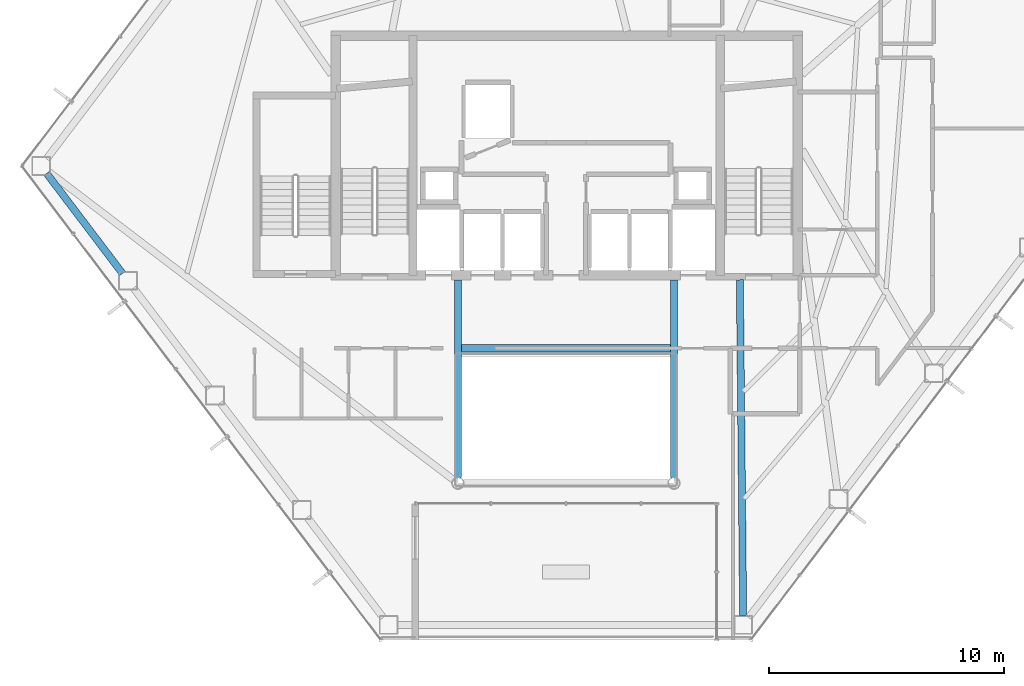
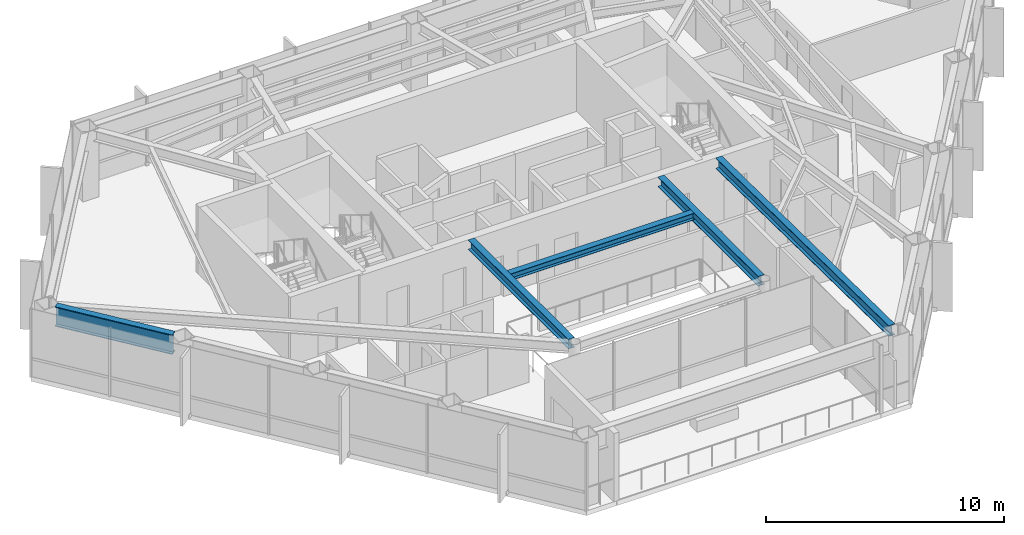
# One storey, part 8 of 28: 5 beams.
"""IFC4 building model written with IfcOpenShell, lengths in metres."""

import ifcopenshell
import ifcopenshell.guid

model = None  # the IFC model being written
_history = None  # IfcOwnerHistory: only IFC2X3 demands one
_inside = {}  # id of a spatial element -> (the spatial element, [elements in it])
_under = {}  # id of a project, library or spatial element -> (it, [spatial elements below it])
_declared = {}  # id of a project -> (the project, [libraries it declares])
_typed = {}  # id of a type object -> (the type object, [elements of that type])
_made_of = {}  # id of a material, layer set ... -> (it, [elements and type objects made of it])


def new_model(schema):
    """Start an empty IFC model of exactly this schema.

    Asked for "IFC4X3", IfcOpenShell would pick the latest addendum, in which some entities
    have other attributes; the version numbers below select the first issue.
    IFC2X3 requires an IfcOwnerHistory on every rooted entity: one is made here for all.
    """
    global model, _history
    if schema == "IFC4X3":
        model = ifcopenshell.file(schema_version=(4, 3, 0, 0))
    else:
        model = ifcopenshell.file(schema=schema)
    _inside.clear()
    _under.clear()
    _declared.clear()
    _typed.clear()
    _made_of.clear()
    _history = None
    if model.schema == "IFC2X3":
        org = make("IfcOrganization", Name="unknown")
        user = make(
            "IfcPersonAndOrganization",
            ThePerson=make("IfcPerson", FamilyName="unknown"),
            TheOrganization=org,
        )
        app = make(
            "IfcApplication",
            ApplicationDeveloper=org,
            Version="unknown",
            ApplicationFullName="unknown",
            ApplicationIdentifier="unknown",
        )
        _history = make(
            "IfcOwnerHistory",
            OwningUser=user,
            OwningApplication=app,
            ChangeAction="ADDED",
            CreationDate=0,
        )
    return model


def make(cls, **values):
    """One entity of the class cls with the attributes given. An attribute that is None is left unset."""
    return model.create_entity(
        cls, **{name: value for name, value in values.items() if value is not None}
    )


def rooted(cls, **values):
    """An entity with a GlobalId (a new one), such as an element, a storey or a relation."""
    return make(cls, GlobalId=ifcopenshell.guid.new(), OwnerHistory=_history, **values)


def si_unit(unit_type, name, prefix=None):
    """IfcSIUnit, for example si_unit("LENGTHUNIT", "METRE", prefix="MILLI")."""
    return make("IfcSIUnit", UnitType=unit_type, Prefix=prefix, Name=name)


def assignment(units):
    """IfcUnitAssignment: the units of a project."""
    return None if units is None else make("IfcUnitAssignment", Units=units)


def point(xyz):
    """IfcCartesianPoint."""
    return None if xyz is None else make("IfcCartesianPoint", Coordinates=xyz)


def direction(xyz):
    """IfcDirection."""
    return None if xyz is None else make("IfcDirection", DirectionRatios=xyz)


def frame(location, z_axis=None, x_axis=None):
    """IfcAxis2Placement3D, a coordinate frame: its origin and axes. An axis left out is left unset."""
    return make(
        "IfcAxis2Placement3D",
        Location=point(location),
        Axis=direction(z_axis),
        RefDirection=direction(x_axis),
    )


def frame_2d(location, x_axis=None):
    """IfcAxis2Placement2D, a coordinate frame in the plane: its origin and x axis."""
    return make(
        "IfcAxis2Placement2D", Location=point(location), RefDirection=direction(x_axis)
    )


def origin():
    """The frame at (0, 0, 0) with its axes left unset."""
    return frame((0.0, 0.0, 0.0))


def origin_2d():
    """The frame at (0, 0) in the plane with its x axis left unset."""
    return frame_2d((0.0, 0.0))


def place(relative_to, where):
    """IfcLocalPlacement: puts the frame where relative to a parent placement (None: the world)."""
    return make(
        "IfcLocalPlacement", PlacementRelTo=relative_to, RelativePlacement=where
    )


def context(
    kind, dimensions, precision=None, world=None, true_north=None, identifier=None
):
    """IfcGeometricRepresentationContext, for example the 3D "Model" context."""
    return make(
        "IfcGeometricRepresentationContext",
        ContextIdentifier=identifier,
        ContextType=kind,
        CoordinateSpaceDimension=dimensions,
        Precision=precision,
        WorldCoordinateSystem=world,
        TrueNorth=true_north,
    )


def subcontext(parent, identifier, kind, view, scale=None):
    """IfcGeometricRepresentationSubContext, for example "Body" below "Model"."""
    return make(
        "IfcGeometricRepresentationSubContext",
        ContextIdentifier=identifier,
        ContextType=kind,
        ParentContext=parent,
        TargetScale=scale,
        TargetView=view,
    )


def project(units=None, contexts=None):
    """IfcProject with its units and contexts."""
    return rooted(
        "IfcProject",
        Name="project",
        RepresentationContexts=contexts,
        UnitsInContext=assignment(units),
    )


def spatial(cls, under=None, at=None, **own):
    """A site, building, storey or space (cls), placed at a placement, below another one or the project."""
    s = rooted(cls, ObjectPlacement=at, **own)
    if under is not None:
        _under.setdefault(under.id(), (under, []))[1].append(s)
    return s


def profile(cls, at=None, kind="AREA", **sizes):
    """A parametric profile (cls). Its sizes go by their IFC names, for example OverallWidth=200.0."""
    return make(cls, ProfileType=kind, Position=at, **sizes)


def i_section(**sizes):
    """IfcIShapeProfileDef."""
    return profile("IfcIShapeProfileDef", **sizes)


def extrude(swept, where, along, depth):
    """IfcExtrudedAreaSolid: the profile swept, set in the frame where, extruded along a direction by depth."""
    return make(
        "IfcExtrudedAreaSolid",
        SweptArea=swept,
        Position=where,
        ExtrudedDirection=direction(along),
        Depth=depth,
    )


def shape(context_of_items, identifier, shape_type, items):
    """IfcShapeRepresentation: the items that make up one representation, for example the "Body"."""
    return make(
        "IfcShapeRepresentation",
        ContextOfItems=context_of_items,
        RepresentationIdentifier=identifier,
        RepresentationType=shape_type,
        Items=items,
    )


def material(Name=None, Category=None):
    """IfcMaterial."""
    return make("IfcMaterial", Name=Name, Category=Category)


def material_profile(
    of_material, cross_section, Name=None, Category=None, Priority=None
):
    """IfcMaterialProfile: a cross section and its material."""
    return make(
        "IfcMaterialProfile",
        Name=Name,
        Material=of_material,
        Profile=cross_section,
        Priority=Priority,
        Category=Category,
    )


def profile_set(profiles, Name=None, composite=None):
    """IfcMaterialProfileSet."""
    return make(
        "IfcMaterialProfileSet",
        Name=Name,
        MaterialProfiles=profiles,
        CompositeProfile=composite,
    )


def made_of(thing, what):
    """Note that an element or type object is made of a material, layer set ...; save() writes the relation."""
    if what is not None:
        _made_of.setdefault(what.id(), (what, []))[1].append(thing)
    return thing


def type_object(cls, material=None, **own):
    """A type object (cls), such as IfcWallType, which elements share."""
    return made_of(rooted(cls, **own), material)


def element(
    cls,
    number,
    at=None,
    inside=None,
    cuts=None,
    type_object=None,
    material=None,
    context=None,
    identifier="Body",
    shape_type=None,
    held_by="IfcProductDefinitionShape",
    body=None,
    shapes=None,
    **own,
):
    """One element of the class cls, such as IfcWall. Its Tag is "e" and its number.

    at: its placement. inside: the storey or other place that contains it. cuts: it is an
    opening in that element (IfcRelVoidsElement). A single representation is given by context,
    identifier, shape_type and body (its items); several are given by shapes. held_by: the class
    of the entity that holds the representations. save() writes the other relations.
    """
    e = rooted(cls, Tag="e%d" % number, ObjectPlacement=at, **own)
    if body is not None:
        shapes = [shape(context, identifier, shape_type, body)]
    if shapes is not None:
        e.Representation = make(held_by, Representations=shapes)
    if inside is not None:
        _inside.setdefault(inside.id(), (inside, []))[1].append(e)
    if cuts is not None:
        rooted(
            "IfcRelVoidsElement", RelatingBuildingElement=cuts, RelatedOpeningElement=e
        )
    if type_object is not None:
        _typed.setdefault(type_object.id(), (type_object, []))[1].append(e)
    return made_of(e, material)


def aggregate(whole, parts):
    """IfcRelAggregates: a whole, such as a stair, and the parts it consists of."""
    return rooted("IfcRelAggregates", RelatingObject=whole, RelatedObjects=parts)


def save(model, path):
    """Write the relations noted so far, then the file.

    IfcRelAggregates (storeys below a building ...), IfcRelContainedInSpatialStructure (elements
    in a storey), IfcRelDefinesByType, IfcRelAssociatesMaterial and IfcRelDeclares: one each for
    every whole, place, type object, material and project.
    """
    for whole, parts in _under.values():
        aggregate(whole, parts)
    for where, things in _inside.values():
        rooted(
            "IfcRelContainedInSpatialStructure",
            RelatedElements=things,
            RelatingStructure=where,
        )
    for kind, things in _typed.values():
        rooted("IfcRelDefinesByType", RelatedObjects=things, RelatingType=kind)
    for what, things in _made_of.values():
        rooted("IfcRelAssociatesMaterial", RelatedObjects=things, RelatingMaterial=what)
    for by, libraries in _declared.values():
        rooted("IfcRelDeclares", RelatingContext=by, RelatedDefinitions=libraries)
    model.write(path)


model = new_model("IFC4")

# Units and contexts
model_context = context("Model", 3, precision=1e-05, world=origin(), true_north=direction((0.0, 1.0)))
body_context = subcontext(model_context, "Body", "Model", "MODEL_VIEW")
ifc_project = project(units=[si_unit("LENGTHUNIT", "METRE"), si_unit("AREAUNIT", "SQUARE_METRE"), si_unit("VOLUMEUNIT", "CUBIC_METRE"), si_unit("PLANEANGLEUNIT", "RADIAN"), si_unit("MASSUNIT", "GRAM", prefix="KILO")], contexts=[model_context])

# Site, building, storey
site_placement = place(None, origin())
site = spatial("IfcSite", under=ifc_project, at=site_placement, CompositionType="ELEMENT")
building_placement = place(site_placement, origin())
building = spatial("IfcBuilding", under=site, at=building_placement, Name="Zarrinselat Tower", CompositionType="ELEMENT")
storey_placement = place(building_placement, frame((0.0, 0.0, 157.080078125)))
storey = spatial("IfcBuildingStorey", under=building, at=storey_placement, Name="L38", CompositionType="ELEMENT", Elevation=157.080078125)

# Beams
ifc_material_1 = material(Name="Steel S355J2", Category="steel")
ifc_material_profile_1 = material_profile(ifc_material_1, i_section(OverallWidth=0.300048828125, OverallDepth=0.35009765625, WebThickness=0.010009765625, FlangeThickness=0.017578125, at=origin_2d()), Name="HEA 360")
ifc_profile_set_1 = profile_set([ifc_material_profile_1], Name="Steel S355J2")
beam_type_1 = type_object("IfcBeamType", Name="BM-HEA360", PredefinedType="LINTEL", material=ifc_profile_set_1)
beam_1_placement = place(storey_placement, frame((33.93994140625, 30.14990234375, 3.324951171875), z_axis=(1.0, 0.0, 0.0), x_axis=(0.0, 1.0, 0.0)))
element("IfcBeam", 1, at=beam_1_placement, inside=storey, type_object=beam_type_1, Name="L38 Lift Lobby Ceiling Beam", PredefinedType="LINTEL", context=body_context, shape_type="SweptSolid", body=[
    extrude(i_section(OverallWidth=0.300048828125, OverallDepth=0.35009765625, WebThickness=0.010009765625, FlangeThickness=0.017578125, at=origin_2d()), origin(), (0.0, 0.0, 1.0), 8.920166015625),
])
ifc_material_2 = material(Name="Steel S355J2", Category="steel")
ifc_material_profile_2 = material_profile(ifc_material_2, i_section(OverallWidth=0.300048828125, OverallDepth=0.5, WebThickness=0.014404296875, FlangeThickness=0.028076171875, at=origin_2d()), Name="HEB 500")
ifc_profile_set_2 = profile_set([ifc_material_profile_2], Name="Steel S355J2")
beam_type_2 = type_object("IfcBeamType", Name="BM-HEB500", PredefinedType="BEAM", material=ifc_profile_set_2)
for number, where, z_axis, x_axis, name in (
    (2, (33.800048828125, 24.639892578125, 3.25), (0.0, 1.0, 0.0), (-1.0, 0.0, 0.0), "L38 Atrium Edge Beam W"),
    (3, (43.0, 24.639892578125, 3.25), (0.0, 1.0, 0.0), (-1.0, 0.0, 0.0), "L38 Atrium Edge Beam E"),
):
    element("IfcBeam", number, at=place(storey_placement, frame(where, z_axis=z_axis, x_axis=x_axis)), inside=storey, type_object=beam_type_2, Name=name, PredefinedType="BEAM", context=body_context, shape_type="SweptSolid", body=[
        extrude(i_section(OverallWidth=0.300048828125, OverallDepth=0.5, WebThickness=0.014404296875, FlangeThickness=0.028076171875, at=origin_2d()), origin(), (0.0, 0.0, 1.0), 8.420166015625),
    ])
ifc_material_3 = material(Name="Steel S355J2", Category="steel")
ifc_material_profile_3 = material_profile(ifc_material_3, i_section(OverallWidth=0.300048828125, OverallDepth=0.550048828125, WebThickness=0.014892578125, FlangeThickness=0.029052734375, at=origin_2d()), Name="HEB 550")
ifc_profile_set_3 = profile_set([ifc_material_profile_3], Name="Steel S355J2")
beam_type_3 = type_object("IfcBeamType", Name="BM-HEB550", PredefinedType="BEAM", material=ifc_profile_set_3)
beam_2_placement = place(storey_placement, frame((45.800048828125, 33.06005859375, 3.224853515625), z_axis=(0.00991234841, -0.999950871468, 0.0), x_axis=(0.999950871468, 0.00991234841, 0.0)))
element("IfcBeam", 4, at=beam_2_placement, inside=storey, type_object=beam_type_3, Name="L38 Radial Primary Girder RG11", PredefinedType="BEAM", context=body_context, shape_type="SweptSolid", body=[
    extrude(i_section(OverallWidth=0.300048828125, OverallDepth=0.550048828125, WebThickness=0.014892578125, FlangeThickness=0.029052734375, at=origin_2d()), origin(), (0.0, 0.0, 1.0), 14.285400390625),
])
ifc_material_4 = material(Name="Steel S460M", Category="steel")
ifc_material_profile_4 = material_profile(ifc_material_4, i_section(OverallWidth=0.302001953125, OverallDepth=1.008056640625, WebThickness=0.02099609375, FlangeThickness=0.0400390625, at=origin_2d()), Name="HEM 1000")
ifc_profile_set_4 = profile_set([ifc_material_profile_4], Name="Steel S460M")
beam_type_4 = type_object("IfcBeamType", Name="BM-HEM1000", PredefinedType="BEAM", material=ifc_profile_set_4)
beam_3_placement = place(storey_placement, frame((16.29736328125, 37.588623046875, 2.995849609375), z_axis=(0.603871751824, -0.797081493543, 0.0), x_axis=(0.797081493543, 0.603871751824, 0.0)))
element("IfcBeam", 5, at=beam_3_placement, inside=storey, type_object=beam_type_4, Name="L38 Perimeter Spandrel Girder SP06", PredefinedType="BEAM", context=body_context, shape_type="SweptSolid", body=[
    extrude(i_section(OverallWidth=0.302001953125, OverallDepth=1.008056640625, WebThickness=0.02099609375, FlangeThickness=0.0400390625, at=origin_2d()), origin(), (0.0, 0.0, 1.0), 5.34765625),
])

save(model, "model.ifc")
